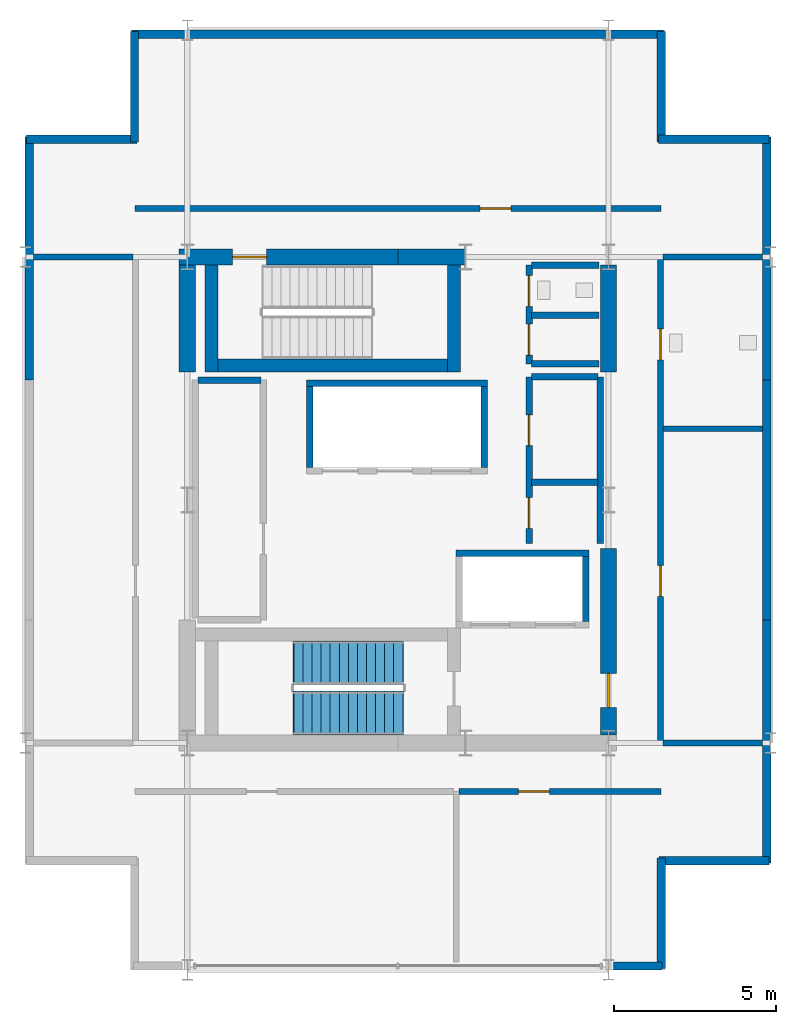
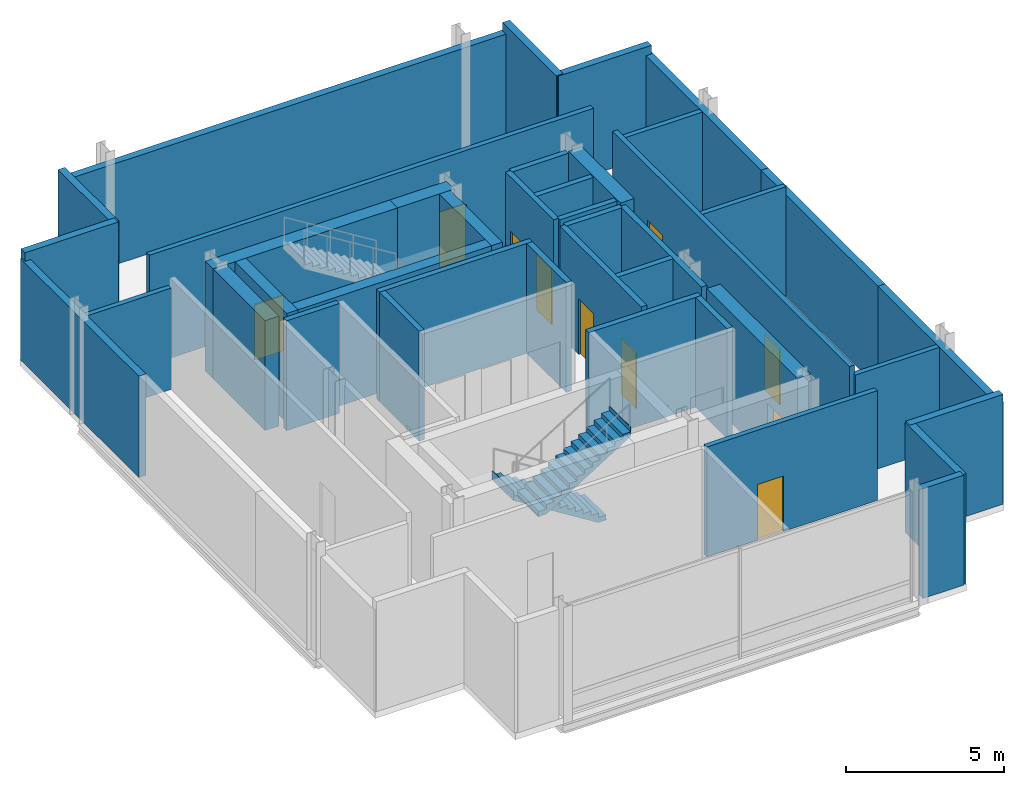
# One storey, part 7 of 10: 41 walls, 10 doors, 2 stair flights, 10 openings, 1 element without a shape of its own.
"""IFC4 building model written with IfcOpenShell, lengths in metres."""

from ifc_helpers import new_model, si_unit, direction, frame, frame_2d, origin, place, context, subcontext, project, spatial, polyline, rectangle, outline, extrude, material, layer, layer_set, type_object, element, fill, aggregate, save


model = new_model("IFC4")

# Units and contexts
model_context = context("Model", 3, precision=1e-05, world=origin(), true_north=direction((0.0, 1.0)))
body_context = subcontext(model_context, "Body", "Model", "MODEL_VIEW")
ifc_project = project(units=[si_unit("LENGTHUNIT", "METRE"), si_unit("AREAUNIT", "SQUARE_METRE"), si_unit("VOLUMEUNIT", "CUBIC_METRE"), si_unit("PLANEANGLEUNIT", "RADIAN"), si_unit("MASSUNIT", "GRAM", prefix="KILO")], contexts=[model_context])

# Site, building, storey
site_placement = place(None, origin())
site = spatial("IfcSite", under=ifc_project, at=site_placement, CompositionType="ELEMENT")
building_placement = place(site_placement, origin())
building = spatial("IfcBuilding", under=site, at=building_placement, Name="Barlavira Tower and Art Museum", CompositionType="ELEMENT")
storey_placement = place(building_placement, frame((0.0, 0.0, 314.39990234375)))
storey = spatial("IfcBuildingStorey", under=building, at=storey_placement, Name="L82", CompositionType="ELEMENT", Elevation=314.39990234375)

# Wall, opening, door
ifc_material_1 = material(Name="Concrete C60", Category="concrete")
ifc_layer_1 = layer(ifc_material_1, 0.5, Name="Concrete C60")
ifc_layer_set_1 = layer_set([ifc_layer_1], Name="Concrete C60")
wall_type_1 = type_object("IfcWallType", Name="Core Structural Shear Wall 500 Concrete C60", PredefinedType="SHEAR", material=ifc_layer_set_1)
wall_1_placement = place(storey_placement, frame((-6.75, 7.5, 0.0), z_axis=(0.0, 0.0, 1.0), x_axis=(1.0, 0.0, 0.0)))
wall_1 = element("IfcWall", 1, at=wall_1_placement, inside=storey, type_object=wall_type_1, Name="L82 Core Shear Wall CS-NW", PredefinedType="SHEAR", context=body_context, shape_type="SweptSolid", body=[
    extrude(rectangle(XDim=6.75, YDim=0.5, at=frame_2d((3.375, 0.0))), origin(), (0.0, 0.0, 1.0), 4.25),
])
opening_1_placement = place(wall_1_placement, frame((1.64990234375, 0.0, 0.0)))
opening_1 = element("IfcOpeningElement", 2, at=opening_1_placement, cuts=wall_1, Name="Opening FD-90", PredefinedType="OPENING", context=body_context, shape_type="SweptSolid", body=[
    extrude(rectangle(XDim=1.050048828125, YDim=2.14990234375, at=frame_2d((0.52490234375, 1.074951171875))), frame((0.0, 0.260009765625, 0.0), z_axis=(0.0, -1.0, 0.0), x_axis=(1.0, 0.0, 0.0)), (0.0, 0.0, 1.0), 0.52001953125),
])
ifc_material_2 = material(Name="Brushed stainless steel", Category="steel")
door_type_1 = type_object("IfcDoorType", Name="Stair and Refuge Fire Door 1050x2150 FD90S", OperationType="NOTDEFINED", PredefinedType="DOOR", material=ifc_material_2)
door_1_placement = place(opening_1_placement, origin())
door_1 = element("IfcDoor", 3, at=door_1_placement, inside=storey, type_object=door_type_1, Name="L82 Stair ST-T2 Fire Door", OperationType="SINGLE_SWING_LEFT", OverallHeight=2.14990234375, OverallWidth=1.050048828125, PredefinedType="DOOR", context=body_context, shape_type="SweptSolid", body=[
    extrude(rectangle(XDim=1.050048828125, YDim=2.14990234375, at=frame_2d((0.52490234375, 1.074951171875))), frame((0.0, 0.02490234375, 0.0), z_axis=(0.0, -1.0, 0.0), x_axis=(1.0, 0.0, 0.0)), (0.0, 0.0, 1.0), 0.050048828125),
])
fill(opening_1, door_1)

# Walls
wall_2_placement = place(storey_placement, frame((0.0, 7.5, 0.0), z_axis=(0.0, 0.0, 1.0), x_axis=(1.0, 0.0, 0.0)))
element("IfcWall", 4, at=wall_2_placement, inside=storey, type_object=wall_type_1, Name="L82 Core Shear Wall CS-EN", PredefinedType="SHEAR", context=body_context, shape_type="SweptSolid", body=[
    extrude(rectangle(XDim=2.080078125, YDim=0.5, at=frame_2d((1.0400390625, 0.0))), origin(), (0.0, 0.0, 1.0), 4.25),
])
wall_3_placement = place(storey_placement, frame((-6.5, 3.949951171875, 0.0), z_axis=(0.0, 0.0, 1.0), x_axis=(0.0, 1.0, 0.0)))
element("IfcWall", 5, at=wall_3_placement, inside=storey, type_object=wall_type_1, Name="L82 Core Shear Wall CS-W2", PredefinedType="SHEAR", context=body_context, shape_type="SweptSolid", body=[
    extrude(rectangle(XDim=3.300048828125, YDim=0.5, at=frame_2d((1.64990234375, 0.0))), origin(), (0.0, 0.0, 1.0), 4.25),
])

# Wall, opening, door
wall_4_placement = place(storey_placement, frame((6.5, -7.25, 0.0), z_axis=(0.0, 0.0, 1.0), x_axis=(0.0, 1.0, 0.0)))
wall_4 = element("IfcWall", 6, at=wall_4_placement, inside=storey, type_object=wall_type_1, Name="L82 Core Shear Wall CS-E1", PredefinedType="SHEAR", context=body_context, shape_type="SweptSolid", body=[
    extrude(rectangle(XDim=5.75, YDim=0.5, at=frame_2d((2.875, 0.0))), origin(), (0.0, 0.0, 1.0), 4.25),
])
opening_2_placement = place(wall_4_placement, frame((0.85009765625, 0.0, 0.0)))
opening_2 = element("IfcOpeningElement", 7, at=opening_2_placement, cuts=wall_4, Name="Opening FD-90", PredefinedType="OPENING", context=body_context, shape_type="SweptSolid", body=[
    extrude(rectangle(XDim=1.050048828125, YDim=2.14990234375, at=frame_2d((0.52490234375, 1.074951171875))), frame((0.0, 0.260009765625, 0.0), z_axis=(0.0, -1.0, 0.0), x_axis=(1.0, 0.0, 0.0)), (0.0, 0.0, 1.0), 0.52001953125),
])
door_2_placement = place(opening_2_placement, origin())
door_2 = element("IfcDoor", 8, at=door_2_placement, inside=storey, type_object=door_type_1, Name="L82 Firefighting Lobby Entry Fire Door", OperationType="SINGLE_SWING_LEFT", OverallHeight=2.14990234375, OverallWidth=1.050048828125, PredefinedType="DOOR", context=body_context, shape_type="SweptSolid", body=[
    extrude(rectangle(XDim=1.050048828125, YDim=2.14990234375, at=frame_2d((0.52490234375, 1.074951171875))), frame((0.0, 0.02490234375, 0.0), z_axis=(0.0, -1.0, 0.0), x_axis=(1.0, 0.0, 0.0)), (0.0, 0.0, 1.0), 0.050048828125),
])
fill(opening_2, door_2)

# Walls
wall_5_placement = place(storey_placement, frame((6.5, 3.949951171875, 0.0), z_axis=(0.0, 0.0, 1.0), x_axis=(0.0, 1.0, 0.0)))
element("IfcWall", 9, at=wall_5_placement, inside=storey, type_object=wall_type_1, Name="L82 Core Shear Wall CS-E2", PredefinedType="SHEAR", context=body_context, shape_type="SweptSolid", body=[
    extrude(rectangle(XDim=3.300048828125, YDim=0.5, at=frame_2d((1.64990234375, 0.0))), origin(), (0.0, 0.0, 1.0), 4.25),
])
ifc_material_3 = material(Name="Architectural white precast concrete C40", Category="concrete")
ifc_layer_2 = layer(ifc_material_3, 0.260009765625, Name="Architectural white precast concrete C40")
ifc_layer_set_2 = layer_set([ifc_layer_2], Name="Architectural white precast concrete C40")
wall_type_2 = type_object("IfcWallType", Name="Crown Architectural White Precast Wall 260 Concrete C40", PredefinedType="SOLIDWALL", material=ifc_layer_set_2)
wall_6_placement = place(storey_placement, frame((8.199951171875, 14.3798828125, 0.0), z_axis=(0.0, 0.0, 1.0), x_axis=(-1.0, 0.0, 0.0)))
element("IfcWall", 10, at=wall_6_placement, inside=storey, type_object=wall_type_2, Name="L82 Chisel Tall-North White Precast Wall", PredefinedType="SOLIDWALL", context=body_context, shape_type="SweptSolid", body=[
    extrude(rectangle(XDim=16.39990234375, YDim=0.260009765625, at=frame_2d((8.199951171875, 0.0))), origin(), (0.0, 0.0, 1.0), 3.918212890625),
])
for number, where, z_axis, x_axis, name in (
    (11, (-11.3798828125, 11.199951171875, 0.0), (0.0, 0.0, 1.0), (0.0, -1.0, 0.0), "L82 Chisel W White Precast Wall 3"),
    (12, (11.3798828125, -11.199951171875, 0.0), (0.0, 0.0, 1.0), (0.0, 1.0, 0.0), "L82 Chisel E White Precast Wall 1"),
):
    element("IfcWall", number, at=place(storey_placement, frame(where, z_axis=z_axis, x_axis=x_axis)), inside=storey, type_object=wall_type_2, Name=name, PredefinedType="SOLIDWALL", context=body_context, shape_type="SweptSolid", body=[
        extrude(rectangle(XDim=7.5, YDim=0.260009765625, at=frame_2d((3.75, 0.0))), origin(), (0.0, 0.0, 1.0), 3.918212890625),
    ])
wall_7_placement = place(storey_placement, frame((11.3798828125, -3.699951171875, 0.0), z_axis=(0.0, 0.0, 1.0), x_axis=(0.0, 1.0, 0.0)))
element("IfcWall", 13, at=wall_7_placement, inside=storey, type_object=wall_type_2, Name="L82 Chisel E White Precast Wall 2", PredefinedType="SOLIDWALL", context=body_context, shape_type="SweptSolid", body=[
    extrude(rectangle(XDim=7.39990234375, YDim=0.260009765625, at=frame_2d((3.699951171875, 0.0))), origin(), (0.0, 0.0, 1.0), 3.918212890625),
])
wall_8_placement = place(storey_placement, frame((11.3798828125, 3.699951171875, 0.0), z_axis=(0.0, 0.0, 1.0), x_axis=(0.0, 1.0, 0.0)))
element("IfcWall", 14, at=wall_8_placement, inside=storey, type_object=wall_type_2, Name="L82 Chisel E White Precast Wall 3", PredefinedType="SOLIDWALL", context=body_context, shape_type="SweptSolid", body=[
    extrude(rectangle(XDim=7.5, YDim=0.260009765625, at=frame_2d((3.75, 0.0))), origin(), (0.0, 0.0, 1.0), 3.918212890625),
])
for number, where, z_axis, x_axis, name in (
    (15, (8.1298828125, -14.4599609375, 0.0), (0.0, 0.0, 1.0), (0.0, 1.0, 0.0), "L82 Crown Notch White Precast Wall SE1"),
    (16, (8.050048828125, -11.1298828125, 0.0), (0.0, 0.0, 1.0), (1.0, 0.0, 0.0), "L82 Crown Notch White Precast Wall SE2"),
    (17, (11.4599609375, 11.1298828125, 0.0), (0.0, 0.0, 1.0), (-1.0, 0.0, 0.0), "L82 Crown Notch White Precast Wall NE1"),
    (18, (8.1298828125, 11.050048828125, 0.0), (0.0, 0.0, 1.0), (0.0, 1.0, 0.0), "L82 Crown Notch White Precast Wall NE2"),
    (19, (-8.1298828125, 14.4599609375, 0.0), (0.0, 0.0, 1.0), (0.0, -1.0, 0.0), "L82 Crown Notch White Precast Wall NW1"),
    (20, (-8.050048828125, 11.1298828125, 0.0), (0.0, 0.0, 1.0), (-1.0, 0.0, 0.0), "L82 Crown Notch White Precast Wall NW2"),
):
    element("IfcWall", number, at=place(storey_placement, frame(where, z_axis=z_axis, x_axis=x_axis)), inside=storey, type_object=wall_type_2, Name=name, PredefinedType="SOLIDWALL", context=body_context, shape_type="SweptSolid", body=[
        extrude(rectangle(XDim=3.409912109375, YDim=0.260009765625, at=frame_2d((1.705078125, 0.0))), origin(), (0.0, 0.0, 1.0), 4.25),
    ])
ifc_material_4 = material(Name="Autoclaved aerated concrete masonry", Category="masonry")
ifc_layer_3 = layer(ifc_material_4, 0.199951171875, Name="Autoclaved aerated concrete masonry")
ifc_layer_set_3 = layer_set([ifc_layer_3], Name="Autoclaved aerated concrete masonry")
wall_type_3 = type_object("IfcWallType", Name="Fire Compartment and Shaft Wall 200", PredefinedType="SOLIDWALL", material=ifc_layer_set_3)
wall_9_placement = place(storey_placement, frame((-2.820068359375, 3.60009765625, 0.0), z_axis=(0.0, 0.0, 1.0), x_axis=(1.0, 0.0, 0.0)))
element("IfcWall", 21, at=wall_9_placement, inside=storey, type_object=wall_type_3, Name="L82 High-Rise & Service Lift Back Wall", PredefinedType="SOLIDWALL", context=body_context, shape_type="SweptSolid", body=[
    extrude(rectangle(XDim=5.580078125, YDim=0.199951171875, at=frame_2d((2.7900390625, 0.0))), origin(), (0.0, 0.0, 1.0), 4.25),
])
for number, where, z_axis, x_axis, name in (
    (22, (-2.719970703125, 1.0, 0.0), (0.0, 0.0, 1.0), (0.0, 1.0, 0.0), "L82 High-Rise & Service Lift West Wall"),
    (23, (2.659912109375, 1.0, 0.0), (0.0, 0.0, 1.0), (0.0, 1.0, 0.0), "L82 High-Rise & Service Lift East Wall"),
):
    element("IfcWall", number, at=place(storey_placement, frame(where, z_axis=z_axis, x_axis=x_axis)), inside=storey, type_object=wall_type_3, Name=name, PredefinedType="SOLIDWALL", context=body_context, shape_type="SweptSolid", body=[
        extrude(rectangle(XDim=2.5, YDim=0.199951171875, at=frame_2d((1.25, 0.0))), origin(), (0.0, 0.0, 1.0), 4.25),
    ])
wall_10_placement = place(storey_placement, frame((1.800048828125, -1.64990234375, 0.0), z_axis=(0.0, 0.0, 1.0), x_axis=(1.0, 0.0, 0.0)))
element("IfcWall", 24, at=wall_10_placement, inside=storey, type_object=wall_type_3, Name="L82 Firefighting Lift Back Shaft Wall", PredefinedType="SOLIDWALL", context=body_context, shape_type="SweptSolid", body=[
    extrude(rectangle(XDim=4.099853515625, YDim=0.199951171875, at=frame_2d((2.0498046875, 0.0))), origin(), (0.0, 0.0, 1.0), 4.25),
])
wall_11_placement = place(storey_placement, frame((5.800048828125, -3.75, 0.0), z_axis=(0.0, 0.0, 1.0), x_axis=(0.0, 1.0, 0.0)))
element("IfcWall", 25, at=wall_11_placement, inside=storey, type_object=wall_type_3, Name="L82 Firefighting Lift East Shaft Wall", PredefinedType="SOLIDWALL", context=body_context, shape_type="SweptSolid", body=[
    extrude(rectangle(XDim=2.0, YDim=0.199951171875, at=frame_2d((1.0, 0.0))), origin(), (0.0, 0.0, 1.0), 4.25),
])

# Wall, openings, doors
wall_12_placement = place(storey_placement, frame((4.050048828125, -1.35009765625, 0.0), z_axis=(0.0, 0.0, 1.0), x_axis=(0.0, 1.0, 0.0)))
wall_12 = element("IfcWall", 26, at=wall_12_placement, inside=storey, type_object=wall_type_3, Name="L82 Partition Wall 5", PredefinedType="SOLIDWALL", context=body_context, shape_type="SweptSolid", body=[
    extrude(rectangle(XDim=5.150146484375, YDim=0.199951171875, at=frame_2d((2.5751953125, 0.0))), origin(), (0.0, 0.0, 1.0), 4.25),
])
opening_3_placement = place(wall_12_placement, frame((0.47509765625, 0.0, 0.0)))
opening_3 = element("IfcOpeningElement", 27, at=opening_3_placement, cuts=wall_12, Name="Opening FD-60", PredefinedType="OPENING", context=body_context, shape_type="SweptSolid", body=[
    extrude(rectangle(XDim=0.949951171875, YDim=2.14990234375, at=frame_2d((0.47509765625, 1.074951171875))), frame((0.0, 0.10986328125, 0.0), z_axis=(0.0, -1.0, 0.0), x_axis=(1.0, 0.0, 0.0)), (0.0, 0.0, 1.0), 0.219970703125),
])
opening_4_placement = place(wall_12_placement, frame((3.02490234375, 0.0, 0.0)))
opening_4 = element("IfcOpeningElement", 28, at=opening_4_placement, cuts=wall_12, Name="Opening FD-60", PredefinedType="OPENING", context=body_context, shape_type="SweptSolid", body=[
    extrude(rectangle(XDim=0.949951171875, YDim=2.14990234375, at=frame_2d((0.47509765625, 1.074951171875))), frame((0.0, 0.10986328125, 0.0), z_axis=(0.0, -1.0, 0.0), x_axis=(1.0, 0.0, 0.0)), (0.0, 0.0, 1.0), 0.219970703125),
])
door_type_2 = type_object("IfcDoorType", Name="Apartment Entrance and Riser Fire Door 950x2150 FD60S", OperationType="NOTDEFINED", PredefinedType="DOOR", material=ifc_material_2)
door_3_placement = place(opening_3_placement, origin())
door_3 = element("IfcDoor", 29, at=door_3_placement, inside=storey, type_object=door_type_2, Name="Reclaimed Upper Core Wine Cellar Door", OperationType="SINGLE_SWING_RIGHT", OverallHeight=2.14990234375, OverallWidth=0.949951171875, PredefinedType="DOOR", context=body_context, shape_type="SweptSolid", body=[
    extrude(rectangle(XDim=0.949951171875, YDim=2.14990234375, at=frame_2d((0.47509765625, 1.074951171875))), frame((0.0, 0.02490234375, 0.0), z_axis=(0.0, -1.0, 0.0), x_axis=(1.0, 0.0, 0.0)), (0.0, 0.0, 1.0), 0.050048828125),
])
fill(opening_3, door_3)
door_4_placement = place(opening_4_placement, origin())
door_4 = element("IfcDoor", 30, at=door_4_placement, inside=storey, type_object=door_type_2, Name="Reclaimed Upper Core Linen Store Door", OperationType="SINGLE_SWING_LEFT", OverallHeight=2.14990234375, OverallWidth=0.949951171875, PredefinedType="DOOR", context=body_context, shape_type="SweptSolid", body=[
    extrude(rectangle(XDim=0.949951171875, YDim=2.14990234375, at=frame_2d((0.47509765625, 1.074951171875))), frame((0.0, 0.02490234375, 0.0), z_axis=(0.0, -1.0, 0.0), x_axis=(1.0, 0.0, 0.0)), (0.0, 0.0, 1.0), 0.050048828125),
])
fill(opening_4, door_4)

wall_13_placement = place(storey_placement, frame((4.050048828125, 4.199951171875, 0.0), z_axis=(0.0, 0.0, 1.0), x_axis=(0.0, 1.0, 0.0)))
wall_13 = element("IfcWall", 31, at=wall_13_placement, inside=storey, type_object=wall_type_3, Name="L82 Partition Wall 6", PredefinedType="SOLIDWALL", context=body_context, shape_type="SweptSolid", body=[
    extrude(rectangle(XDim=3.050048828125, YDim=0.199951171875, at=frame_2d((1.52490234375, 0.0))), origin(), (0.0, 0.0, 1.0), 4.25),
])
opening_5_placement = place(wall_13_placement, frame((0.27490234375, 0.0, 0.0)))
opening_5 = element("IfcOpeningElement", 32, at=opening_5_placement, cuts=wall_13, Name="Opening FD-60", PredefinedType="OPENING", context=body_context, shape_type="SweptSolid", body=[
    extrude(rectangle(XDim=0.949951171875, YDim=2.14990234375, at=frame_2d((0.47509765625, 1.074951171875))), frame((0.0, 0.10986328125, 0.0), z_axis=(0.0, -1.0, 0.0), x_axis=(1.0, 0.0, 0.0)), (0.0, 0.0, 1.0), 0.219970703125),
])
opening_6_placement = place(wall_13_placement, frame((1.77490234375, 0.0, 0.0)))
opening_6 = element("IfcOpeningElement", 33, at=opening_6_placement, cuts=wall_13, Name="Opening FD-60", PredefinedType="OPENING", context=body_context, shape_type="SweptSolid", body=[
    extrude(rectangle(XDim=0.949951171875, YDim=2.14990234375, at=frame_2d((0.47509765625, 1.074951171875))), frame((0.0, 0.10986328125, 0.0), z_axis=(0.0, -1.0, 0.0), x_axis=(1.0, 0.0, 0.0)), (0.0, 0.0, 1.0), 0.219970703125),
])
door_5_placement = place(opening_5_placement, origin())
door_5 = element("IfcDoor", 34, at=door_5_placement, inside=storey, type_object=door_type_2, Name="Electrical Switchgear Room Door", OperationType="SINGLE_SWING_RIGHT", OverallHeight=2.14990234375, OverallWidth=0.949951171875, PredefinedType="DOOR", context=body_context, shape_type="SweptSolid", body=[
    extrude(rectangle(XDim=0.949951171875, YDim=2.14990234375, at=frame_2d((0.47509765625, 1.074951171875))), frame((0.0, 0.02490234375, 0.0), z_axis=(0.0, -1.0, 0.0), x_axis=(1.0, 0.0, 0.0)), (0.0, 0.0, 1.0), 0.050048828125),
])
fill(opening_5, door_5)
door_6_placement = place(opening_6_placement, origin())
door_6 = element("IfcDoor", 35, at=door_6_placement, inside=storey, type_object=door_type_2, Name="Core Staff Toilet Door", OperationType="SINGLE_SWING_LEFT", OverallHeight=2.14990234375, OverallWidth=0.949951171875, PredefinedType="DOOR", context=body_context, shape_type="SweptSolid", body=[
    extrude(rectangle(XDim=0.949951171875, YDim=2.14990234375, at=frame_2d((0.47509765625, 1.074951171875))), frame((0.0, 0.02490234375, 0.0), z_axis=(0.0, -1.0, 0.0), x_axis=(1.0, 0.0, 0.0)), (0.0, 0.0, 1.0), 0.050048828125),
])
fill(opening_6, door_6)

# Walls
wall_14_placement = place(storey_placement, frame((6.25, -1.35009765625, 0.0), z_axis=(0.0, 0.0, 1.0), x_axis=(0.0, 1.0, 0.0)))
element("IfcWall", 36, at=wall_14_placement, inside=storey, type_object=wall_type_3, Name="L82 Partition Wall 7", PredefinedType="SOLIDWALL", context=body_context, shape_type="SweptSolid", body=[
    extrude(rectangle(XDim=5.150146484375, YDim=0.199951171875, at=frame_2d((2.5751953125, 0.0))), origin(), (0.0, 0.0, 1.0), 4.25),
])
wall_15_placement = place(storey_placement, frame((4.1298828125, 0.550048828125, 0.0), z_axis=(0.0, 0.0, 1.0), x_axis=(1.0, 0.0, 0.0)))
element("IfcWall", 37, at=wall_15_placement, inside=storey, type_object=wall_type_3, Name="L82 Partition Wall 14", PredefinedType="SOLIDWALL", context=body_context, shape_type="SweptSolid", body=[
    extrude(rectangle(XDim=2.0400390625, YDim=0.199951171875, at=frame_2d((1.02001953125, 0.0))), origin(), (0.0, 0.0, 1.0), 4.25),
])
wall_16_placement = place(storey_placement, frame((-6.169921875, 3.699951171875, 0.0), z_axis=(0.0, 0.0, 1.0), x_axis=(1.0, 0.0, 0.0)))
element("IfcWall", 38, at=wall_16_placement, inside=storey, type_object=wall_type_3, Name="L82 Partition Wall 16", PredefinedType="SOLIDWALL", context=body_context, shape_type="SweptSolid", body=[
    extrude(rectangle(XDim=1.93994140625, YDim=0.199951171875, at=frame_2d((0.969970703125, 0.0))), origin(), (0.0, 0.0, 1.0), 4.25),
])
wall_17_placement = place(storey_placement, frame((4.1298828125, 3.800048828125, 0.0), z_axis=(0.0, 0.0, 1.0), x_axis=(1.0, 0.0, 0.0)))
element("IfcWall", 39, at=wall_17_placement, inside=storey, type_object=wall_type_3, Name="L82 Partition Wall 17", PredefinedType="SOLIDWALL", context=body_context, shape_type="SweptSolid", body=[
    extrude(rectangle(XDim=2.0400390625, YDim=0.199951171875, at=frame_2d((1.02001953125, 0.0))), origin(), (0.0, 0.0, 1.0), 4.25),
])
for number, where, z_axis, x_axis, name in (
    (40, (4.1298828125, 4.199951171875, 0.0), (0.0, 0.0, 1.0), (1.0, 0.0, 0.0), "L82 Partition Wall 18"),
    (41, (4.1298828125, 5.699951171875, 0.0), (0.0, 0.0, 1.0), (1.0, 0.0, 0.0), "L82 Partition Wall 19"),
    (42, (4.1298828125, 7.25, 0.0), (0.0, 0.0, 1.0), (1.0, 0.0, 0.0), "L82 Partition Wall 20"),
):
    element("IfcWall", number, at=place(storey_placement, frame(where, z_axis=z_axis, x_axis=x_axis)), inside=storey, type_object=wall_type_3, Name=name, PredefinedType="SOLIDWALL", context=body_context, shape_type="SweptSolid", body=[
        extrude(rectangle(XDim=2.070068359375, YDim=0.199951171875, at=frame_2d((1.03515625, 0.0))), origin(), (0.0, 0.0, 1.0), 4.25),
    ])

# Wall, openings, doors
ifc_material_5 = material(Name="Gypsum acoustic stud partition", Category="gypsum")
ifc_layer_4 = layer(ifc_material_5, 0.179931640625, Name="Gypsum acoustic stud partition")
ifc_layer_set_4 = layer_set([ifc_layer_4], Name="Gypsum acoustic stud partition")
wall_type_4 = type_object("IfcWallType", Name="Inter-Tenancy Party Partition Wall 180", PredefinedType="PARTITIONING", material=ifc_layer_set_4)
wall_18_placement = place(storey_placement, frame((8.10009765625, -7.5, 0.0), z_axis=(0.0, 0.0, 1.0), x_axis=(0.0, 1.0, 0.0)))
wall_18 = element("IfcWall", 43, at=wall_18_placement, inside=storey, type_object=wall_type_4, Name="L82 Partition Wall 8", PredefinedType="PARTITIONING", context=body_context, shape_type="SweptSolid", body=[
    extrude(rectangle(XDim=15.0, YDim=0.179931640625, at=frame_2d((7.5, 0.0))), origin(), (0.0, 0.0, 1.0), 4.25),
])
opening_7_placement = place(wall_18_placement, frame((4.52490234375, 0.0, 0.0)))
opening_7 = element("IfcOpeningElement", 44, at=opening_7_placement, cuts=wall_18, Name="Opening FD-60", PredefinedType="OPENING", context=body_context, shape_type="SweptSolid", body=[
    extrude(rectangle(XDim=0.949951171875, YDim=2.14990234375, at=frame_2d((0.47509765625, 1.074951171875))), frame((0.0, 0.10009765625, 0.0), z_axis=(0.0, -1.0, 0.0), x_axis=(1.0, 0.0, 0.0)), (0.0, 0.0, 1.0), 0.199951171875),
])
opening_8_placement = place(wall_18_placement, frame((11.824951171875, 0.0, 0.0)))
opening_8 = element("IfcOpeningElement", 45, at=opening_8_placement, cuts=wall_18, Name="Opening FD-60", PredefinedType="OPENING", context=body_context, shape_type="SweptSolid", body=[
    extrude(rectangle(XDim=0.949951171875, YDim=2.14990234375, at=frame_2d((0.47509765625, 1.074951171875))), frame((0.0, 0.10009765625, 0.0), z_axis=(0.0, -1.0, 0.0), x_axis=(1.0, 0.0, 0.0)), (0.0, 0.0, 1.0), 0.199951171875),
])
door_7_placement = place(opening_7_placement, origin())
door_7 = element("IfcDoor", 46, at=door_7_placement, inside=storey, type_object=door_type_2, Name="L82 Shared Conservatory Pantry Kitchen Door", OperationType="SINGLE_SWING_RIGHT", OverallHeight=2.14990234375, OverallWidth=0.949951171875, PredefinedType="DOOR", context=body_context, shape_type="SweptSolid", body=[
    extrude(rectangle(XDim=0.949951171875, YDim=2.14990234375, at=frame_2d((0.47509765625, 1.074951171875))), frame((0.0, 0.02490234375, 0.0), z_axis=(0.0, -1.0, 0.0), x_axis=(1.0, 0.0, 0.0)), (0.0, 0.0, 1.0), 0.050048828125),
])
fill(opening_7, door_7)
door_8_placement = place(opening_8_placement, origin())
door_8 = element("IfcDoor", 47, at=door_8_placement, inside=storey, type_object=door_type_2, Name="L82 Conservatory Accessible Restroom Door", OperationType="SINGLE_SWING_LEFT", OverallHeight=2.14990234375, OverallWidth=0.949951171875, PredefinedType="DOOR", context=body_context, shape_type="SweptSolid", body=[
    extrude(rectangle(XDim=0.949951171875, YDim=2.14990234375, at=frame_2d((0.47509765625, 1.074951171875))), frame((0.0, 0.02490234375, 0.0), z_axis=(0.0, -1.0, 0.0), x_axis=(1.0, 0.0, 0.0)), (0.0, 0.0, 1.0), 0.050048828125),
])
fill(opening_8, door_8)

# Wall, opening, door
wall_19_placement = place(storey_placement, frame((1.8798828125, -9.0, 0.0), z_axis=(0.0, 0.0, 1.0), x_axis=(1.0, 0.0, 0.0)))
wall_19 = element("IfcWall", 48, at=wall_19_placement, inside=storey, type_object=wall_type_4, Name="L82 Partition Wall 10", PredefinedType="PARTITIONING", context=body_context, shape_type="SweptSolid", body=[
    extrude(rectangle(XDim=6.240234375, YDim=0.179931640625, at=frame_2d((3.1201171875, 0.0))), origin(), (0.0, 0.0, 1.0), 4.25),
])
opening_9_placement = place(wall_19_placement, frame((1.844970703125, 0.0, 0.0)))
opening_9 = element("IfcOpeningElement", 49, at=opening_9_placement, cuts=wall_19, Name="Opening FD-60", PredefinedType="OPENING", context=body_context, shape_type="SweptSolid", body=[
    extrude(rectangle(XDim=0.949951171875, YDim=2.14990234375, at=frame_2d((0.47509765625, 1.074951171875))), frame((0.0, 0.10009765625, 0.0), z_axis=(0.0, -1.0, 0.0), x_axis=(1.0, 0.0, 0.0)), (0.0, 0.0, 1.0), 0.199951171875),
])
door_9_placement = place(opening_9_placement, origin())
door_9 = element("IfcDoor", 50, at=door_9_placement, inside=storey, type_object=door_type_2, Name="L82 Botanical Tea and Tasting Pavilion Door", OperationType="SINGLE_SWING_LEFT", OverallHeight=2.14990234375, OverallWidth=0.949951171875, PredefinedType="DOOR", context=body_context, shape_type="SweptSolid", body=[
    extrude(rectangle(XDim=0.949951171875, YDim=2.14990234375, at=frame_2d((0.47509765625, 1.074951171875))), frame((0.0, 0.02490234375, 0.0), z_axis=(0.0, -1.0, 0.0), x_axis=(1.0, 0.0, 0.0)), (0.0, 0.0, 1.0), 0.050048828125),
])
fill(opening_9, door_9)

# Walls
wall_20_placement = place(storey_placement, frame((8.179931640625, -7.5, 0.0), z_axis=(0.0, 0.0, 1.0), x_axis=(1.0, 0.0, 0.0)))
element("IfcWall", 51, at=wall_20_placement, inside=storey, type_object=wall_type_4, Name="L82 Partition Wall 12", PredefinedType="PARTITIONING", context=body_context, shape_type="SweptSolid", body=[
    extrude(rectangle(XDim=3.065185546875, YDim=0.179931640625, at=frame_2d((1.53271484375, 0.0))), origin(), (0.0, 0.0, 1.0), 3.918212890625),
])
wall_21_placement = place(storey_placement, frame((8.179931640625, 2.199951171875, 0.0), z_axis=(0.0, 0.0, 1.0), x_axis=(1.0, 0.0, 0.0)))
element("IfcWall", 52, at=wall_21_placement, inside=storey, type_object=wall_type_4, Name="L82 Partition Wall 15", PredefinedType="PARTITIONING", context=body_context, shape_type="SweptSolid", body=[
    extrude(rectangle(XDim=3.065185546875, YDim=0.179931640625, at=frame_2d((1.53271484375, 0.0))), origin(), (0.0, 0.0, 1.0), 4.25),
])
for number, where, z_axis, x_axis, name in (
    (53, (-11.2451171875, 7.5, 0.0), (0.0, 0.0, 1.0), (1.0, 0.0, 0.0), "L82 Partition Wall 21"),
    (54, (8.179931640625, 7.5, 0.0), (0.0, 0.0, 1.0), (1.0, 0.0, 0.0), "L82 Partition Wall 22"),
):
    element("IfcWall", number, at=place(storey_placement, frame(where, z_axis=z_axis, x_axis=x_axis)), inside=storey, type_object=wall_type_4, Name=name, PredefinedType="PARTITIONING", context=body_context, shape_type="SweptSolid", body=[
        extrude(rectangle(XDim=3.065185546875, YDim=0.179931640625, at=frame_2d((1.53271484375, 0.0))), origin(), (0.0, 0.0, 1.0), 3.918212890625),
    ])

# Wall, opening, door
wall_22_placement = place(storey_placement, frame((-8.1201171875, 9.0, 0.0), z_axis=(0.0, 0.0, 1.0), x_axis=(1.0, 0.0, 0.0)))
wall_22 = element("IfcWall", 55, at=wall_22_placement, inside=storey, type_object=wall_type_4, Name="L82 Partition Wall 23", PredefinedType="PARTITIONING", context=body_context, shape_type="SweptSolid", body=[
    extrude(rectangle(XDim=16.240234375, YDim=0.179931640625, at=frame_2d((8.1201171875, 0.0))), origin(), (0.0, 0.0, 1.0), 4.25),
])
opening_10_placement = place(wall_22_placement, frame((10.655029296875, 0.0, 0.0)))
opening_10 = element("IfcOpeningElement", 56, at=opening_10_placement, cuts=wall_22, Name="Opening FD-60", PredefinedType="OPENING", context=body_context, shape_type="SweptSolid", body=[
    extrude(rectangle(XDim=0.949951171875, YDim=2.14990234375, at=frame_2d((0.47509765625, 1.074951171875))), frame((0.0, 0.10009765625, 0.0), z_axis=(0.0, -1.0, 0.0), x_axis=(1.0, 0.0, 0.0)), (0.0, 0.0, 1.0), 0.199951171875),
])
door_10_placement = place(opening_10_placement, origin())
door_10 = element("IfcDoor", 57, at=door_10_placement, inside=storey, type_object=door_type_2, Name="L82 North Coastal Orchidarium Salon Door", OperationType="SINGLE_SWING_RIGHT", OverallHeight=2.14990234375, OverallWidth=0.949951171875, PredefinedType="DOOR", context=body_context, shape_type="SweptSolid", body=[
    extrude(rectangle(XDim=0.949951171875, YDim=2.14990234375, at=frame_2d((0.47509765625, 1.074951171875))), frame((0.0, 0.02490234375, 0.0), z_axis=(0.0, -1.0, 0.0), x_axis=(1.0, 0.0, 0.0)), (0.0, 0.0, 1.0), 0.050048828125),
])
fill(opening_10, door_10)

# Walls
ifc_material_6 = material(Name="Precast concrete C40", Category="concrete")
ifc_layer_5 = layer(ifc_material_6, 0.25, Name="Precast concrete C40")
ifc_layer_set_5 = layer_set([ifc_layer_5], Name="Precast concrete C40")
wall_type_5 = type_object("IfcWallType", Name="Notched Corner Spandrel Wall 250 Precast Concrete C40", PredefinedType="SOLIDWALL", material=ifc_layer_set_5)
wall_23_placement = place(storey_placement, frame((6.658935546875, -14.3798828125, 0.0), z_axis=(0.0, 0.0, 1.0), x_axis=(1.0, 0.0, 0.0)))
element("IfcWall", 58, at=wall_23_placement, inside=storey, type_object=wall_type_5, Name="L82 Coastal Facade Pier Wall CW7-L82-S-3", PredefinedType="SOLIDWALL", context=body_context, shape_type="SweptSolid", body=[
    extrude(rectangle(XDim=1.49609375, YDim=0.25, at=frame_2d((0.748046875, 0.0))), origin(), (0.0, 0.0, 1.0), 4.25),
])
ifc_material_7 = material(Name="Concrete C55", Category="concrete")
ifc_layer_6 = layer(ifc_material_7, 0.39990234375, Name="Concrete C55")
ifc_layer_set_6 = layer_set([ifc_layer_6], Name="Concrete C55")
wall_type_6 = type_object("IfcWallType", Name="Upper Core Shear Wall 400 Concrete C55", PredefinedType="SHEAR", material=ifc_layer_set_6)
wall_24_placement = place(storey_placement, frame((-5.550048828125, 4.14990234375, 0.0), z_axis=(0.0, 0.0, 1.0), x_axis=(1.0, 0.0, 0.0)))
element("IfcWall", 59, at=wall_24_placement, inside=storey, type_object=wall_type_6, Name="L82 ST-T2 South Shaft Wall", PredefinedType="SHEAR", context=body_context, shape_type="SweptSolid", body=[
    extrude(rectangle(XDim=7.080078125, YDim=0.39990234375, at=frame_2d((3.5400390625, 0.0))), origin(), (0.0, 0.0, 1.0), 4.25),
])
for number, where, z_axis, x_axis, name in (
    (60, (1.72998046875, 3.949951171875, 0.0), (0.0, 0.0, 1.0), (0.0, 1.0, 0.0), "L82 ST-T2 East Half-Landing Wall"),
    (61, (-5.75, 3.949951171875, 0.0), (0.0, 0.0, 1.0), (0.0, 1.0, 0.0), "L82 ST-T2 West Shaft Wall"),
):
    element("IfcWall", number, at=place(storey_placement, frame(where, z_axis=z_axis, x_axis=x_axis)), inside=storey, type_object=wall_type_6, Name=name, PredefinedType="SHEAR", context=body_context, shape_type="SweptSolid", body=[
        extrude(rectangle(XDim=3.300048828125, YDim=0.39990234375, at=frame_2d((1.64990234375, 0.0))), origin(), (0.0, 0.0, 1.0), 4.25),
    ])

# Stair, stair flights
ifc_material_8 = material(Name="Concrete C45", Category="concrete")
stair_type = type_object("IfcStairType", Name="Tower South Dog-Leg Exit Stair Assembly Concrete C45", PredefinedType="TWO_QUARTER_TURN_STAIR", material=ifc_material_8)
stair_placement = place(storey_placement, origin())
stair = element("IfcStair", 62, at=stair_placement, inside=storey, type_object=stair_type, Name="L82 Tower South Exit Stair ST-T1", PredefinedType="TWO_QUARTER_TURN_STAIR")
ifc_material_9 = material(Name="Precast concrete C45", Category="concrete")
stair_flight_type = type_object("IfcStairFlightType", Name="Tower South Dog-Leg Exit Stair Precast Flight 1350 Concrete C45", PredefinedType="STRAIGHT", material=ifc_material_9)
stair_flight_1_placement = place(storey_placement, frame((0.14990234375, -5.02490234375, 0.0), z_axis=(0.0, 0.0, 1.0), x_axis=(-1.0, 0.0, 0.0)))
stair_flight_1 = element("IfcStairFlight", 63, at=stair_flight_1_placement, type_object=stair_flight_type, Name="ST-T1 flight 1", NumberOfRisers=13, NumberOfTreads=12, PredefinedType="STRAIGHT", RiserHeight=0.173076923, TreadLength=0.28, context=body_context, shape_type="SweptSolid", body=[
    extrude(outline(polyline([(-0.02490234375, 0.0), (0.0, 0.0), (0.0, 0.173095703125), (0.280029296875, 0.173095703125), (0.280029296875, 0.34619140625), (0.56005859375, 0.34619140625), (0.56005859375, 0.519287109375), (0.840087890625, 0.519287109375), (0.840087890625, 0.6923828125), (1.1201171875, 0.6923828125), (1.1201171875, 0.865478515625), (1.39990234375, 0.865478515625), (1.39990234375, 1.03857421875), (1.679931640625, 1.03857421875), (1.679931640625, 1.21142578125), (1.9599609375, 1.21142578125), (1.9599609375, 1.384521484375), (2.239990234375, 1.384521484375), (2.239990234375, 1.5576171875), (2.52001953125, 1.5576171875), (2.52001953125, 1.730712890625), (2.800048828125, 1.730712890625), (2.800048828125, 1.90380859375), (3.080078125, 1.90380859375), (3.080078125, 2.076904296875), (3.360107421875, 2.076904296875), (3.360107421875, 2.25), (3.385009765625, 2.25), (3.385009765625, 1.900634765625), (3.360107421875, 1.900634765625), (0.28515625, -0.02490234375), (-0.02490234375, -0.02490234375), (-0.02490234375, 0.0)])), frame((0.0, 0.675048828125, 0.0), z_axis=(0.0, -1.0, 0.0), x_axis=(1.0, 0.0, 0.0)), (0.0, 0.0, 1.0), 1.35009765625),
])
stair_flight_2_placement = place(storey_placement, frame((-3.2099609375, -6.574951171875, 2.25), z_axis=(0.0, 0.0, 1.0), x_axis=(1.0, 0.0, 0.0)))
stair_flight_2 = element("IfcStairFlight", 64, at=stair_flight_2_placement, type_object=stair_flight_type, Name="ST-T1 flight 2", NumberOfRisers=13, NumberOfTreads=12, PredefinedType="STRAIGHT", RiserHeight=0.173076923, TreadLength=0.28, context=body_context, shape_type="SweptSolid", body=[
    extrude(outline(polyline([(-0.02490234375, 0.0), (0.0, 0.0), (0.0, 0.173095703125), (0.280029296875, 0.173095703125), (0.280029296875, 0.34619140625), (0.56005859375, 0.34619140625), (0.56005859375, 0.519287109375), (0.840087890625, 0.519287109375), (0.840087890625, 0.6923828125), (1.1201171875, 0.6923828125), (1.1201171875, 0.865478515625), (1.39990234375, 0.865478515625), (1.39990234375, 1.03857421875), (1.679931640625, 1.03857421875), (1.679931640625, 1.21142578125), (1.9599609375, 1.21142578125), (1.9599609375, 1.384521484375), (2.239990234375, 1.384521484375), (2.239990234375, 1.5576171875), (2.52001953125, 1.5576171875), (2.52001953125, 1.730712890625), (2.800048828125, 1.730712890625), (2.800048828125, 1.90380859375), (3.080078125, 1.90380859375), (3.080078125, 2.076904296875), (3.360107421875, 2.076904296875), (3.360107421875, 2.25), (3.385009765625, 2.25), (3.385009765625, 1.900634765625), (3.360107421875, 1.900634765625), (0.28515625, -0.02490234375), (-0.02490234375, -0.02490234375), (-0.02490234375, 0.0)])), frame((0.0, 0.675048828125, 0.0), z_axis=(0.0, -1.0, 0.0), x_axis=(1.0, 0.0, 0.0)), (0.0, 0.0, 1.0), 1.35009765625),
])
aggregate(stair, [stair_flight_1, stair_flight_2])

save(model, "model.ifc")
